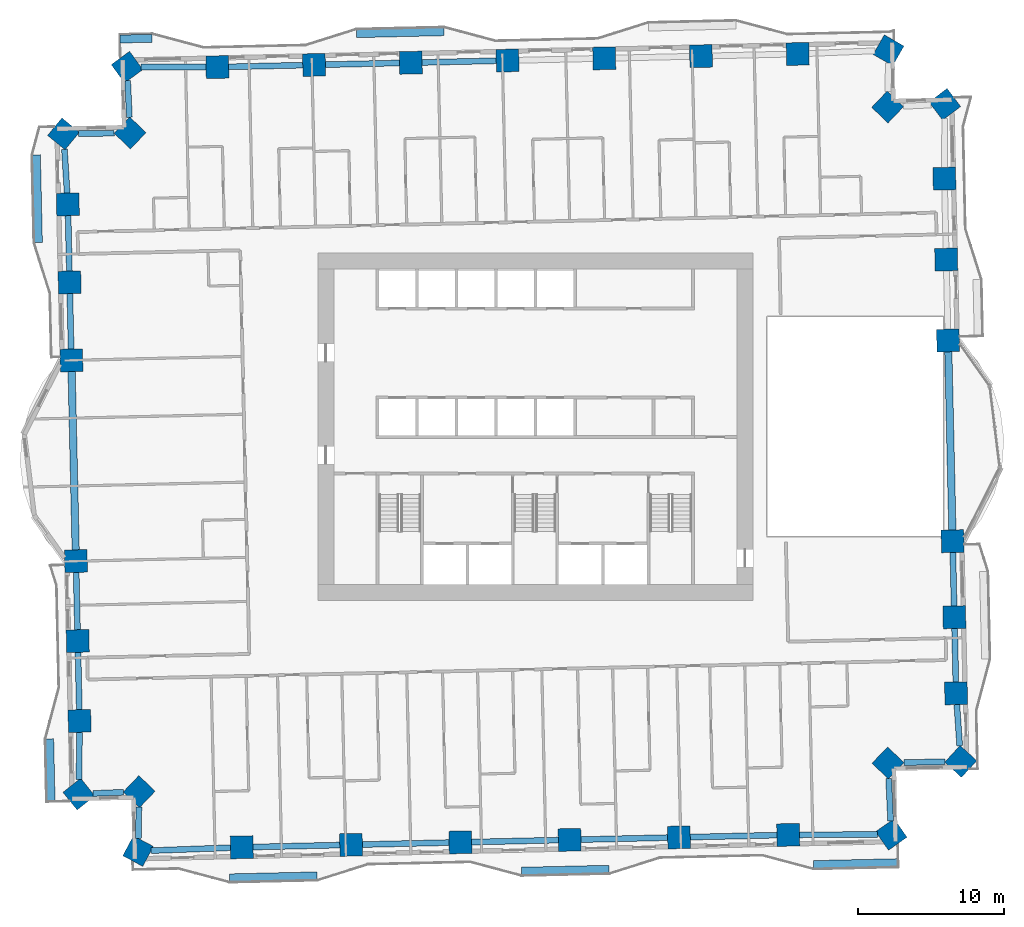
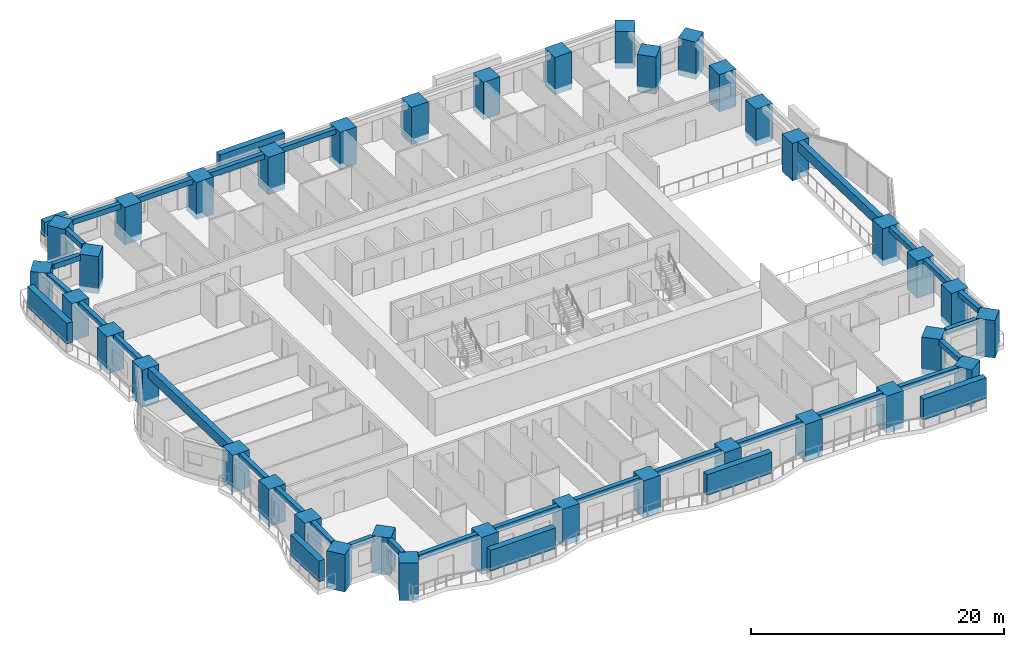
# One storey, part 1 of 16: 37 columns, 28 beams, 7 members.
"""IFC4 building model written with IfcOpenShell, lengths in metres."""

from ifc_helpers import new_model, si_unit, direction, frame, origin, origin_2d, place, context, subcontext, project, spatial, rectangle, extrude, material, material_profile, profile_set, type_object, element, save


model = new_model("IFC4")

# Units and contexts
model_context = context("Model", 3, precision=1e-05, world=origin(), true_north=direction((0.0, 1.0)))
body_context = subcontext(model_context, "Body", "Model", "MODEL_VIEW")
ifc_project = project(units=[si_unit("LENGTHUNIT", "METRE"), si_unit("AREAUNIT", "SQUARE_METRE"), si_unit("VOLUMEUNIT", "CUBIC_METRE"), si_unit("PLANEANGLEUNIT", "RADIAN"), si_unit("MASSUNIT", "GRAM", prefix="KILO")], contexts=[model_context])

# Site, building, storey
site_placement = place(None, origin())
site = spatial("IfcSite", under=ifc_project, at=site_placement, CompositionType="ELEMENT")
building_placement = place(site_placement, origin())
building = spatial("IfcBuilding", under=site, at=building_placement, Name="Mangrove Gate Tower", CompositionType="ELEMENT")
storey_placement = place(building_placement, frame((0.0, 0.0, 34.10009765625)))
storey = spatial("IfcBuildingStorey", under=building, at=storey_placement, Name="L07", CompositionType="ELEMENT", Elevation=34.10009765625)

# Columns
ifc_material_1 = material(Name="Concrete C70/85", Category="concrete")
ifc_material_profile_1 = material_profile(ifc_material_1, rectangle(XDim=1.550048828125, YDim=1.550048828125, at=origin_2d()))
ifc_profile_set_1 = profile_set([ifc_material_profile_1], Name="Concrete C70/85")
column_type = type_object("IfcColumnType", Name="Column RC 1550x1550 C70/85", PredefinedType="COLUMN", material=ifc_profile_set_1)
for number, where, z_axis, x_axis, name in (
    (1, (-31.461181640625, -9.204345703125, -0.550048828125), (0.0, 0.0, 1.0), (0.022677684385, -0.999742828247, 0.0), "Column L07 W06"),
    (2, (-31.337158203125, -14.678466796875, -0.550048828125), (0.0, 0.0, 1.0), (0.022648789156, -0.999743483274, 0.0), "Column L07 W07"),
    (3, (-31.213134765625, -20.1513671875, -0.550048828125), (0.0, 0.0, 1.0), (0.022740081264, -0.999741410918, 0.0), "Column L07 W08"),
    (4, (-31.259033203125, -25.157470703125, -0.550048828125), (0.0, 0.0, 1.0), (0.626513761853, -0.779410358033, 0.0), "Column L07 W09"),
    (5, (-27.129638671875, -24.986572265625, -0.550048828125), (0.0, 0.0, 1.0), (0.723003777622, -0.690844076144, 0.0), "Column L07 W10"),
    (6, (-27.205078125, -29.061767578125, -0.550048828125), (0.0, 0.0, 1.0), (0.88296485665, -0.469439092877, 0.0), "Column L07 S01"),
    (7, (-20.1025390625, -28.80224609375, -0.550048828125), (0.0, 0.0, 1.0), (0.999743591179, 0.022644025629, 0.0), "Column L07 S02"),
    (8, (-12.61962890625, -28.632080078125, -0.550048828125), (0.0, 0.0, 1.0), (0.999742076866, 0.022710784754, 0.0), "Column L07 S03"),
    (9, (-5.135498046875, -28.462158203125, -0.550048828125), (0.0, 0.0, 1.0), (0.999742111349, 0.022709266709, 0.0), "Column L07 S04"),
    (10, (2.348388671875, -28.292236328125, -0.550048828125), (0.0, 0.0, 1.0), (0.999742111349, 0.022709266709, 0.0), "Column L07 S05"),
    (11, (9.83251953125, -28.122314453125, -0.550048828125), (0.0, 0.0, 1.0), (0.999742076866, 0.022710784754, 0.0), "Column L07 S06"),
    (12, (17.3154296875, -27.9521484375, -0.550048828125), (0.0, 0.0, 1.0), (0.999743591179, 0.022644025629, 0.0), "Column L07 S07"),
    (13, (24.3720703125, -27.92333984375, -0.550048828125), (0.0, 0.0, 1.0), (0.818798537757, 0.574080965166, 0.0), "Column L07 S08"),
    (14, (24.143798828125, -23.023681640625, -0.550048828125), (0.0, 0.0, 1.0), (0.690875836988, 0.722973428188, 0.0), "Column L07 E01"),
    (15, (29.1318359375, -22.921142578125, -0.550048828125), (0.0, 0.0, 1.0), (0.675975496551, 0.736924099255, 0.0), "Column L07 E02"),
    (16, (28.80908203125, -18.256591796875, -0.550048828125), (0.0, 0.0, 1.0), (-0.022754110081, 0.99974109172, 0.0), "Column L07 E03"),
    (17, (28.691162109375, -13.049560546875, -0.550048828125), (0.0, 0.0, 1.0), (-0.022655978068, 0.999743320387, 0.0), "Column L07 E04"),
    (18, (28.5732421875, -7.842529296875, -0.550048828125), (0.0, 0.0, 1.0), (-0.022680668131, 0.999742760561, 0.0), "Column L07 E05"),
    (19, (28.26123046875, 5.904296875, -0.550048828125), (0.0, 0.0, 1.0), (-0.022703735442, 0.999742236978, 0.0), "Column L07 E06"),
    (20, (28.13525390625, 11.4443359375, -0.550048828125), (0.0, 0.0, 1.0), (-0.022645578574, 0.999743556004, 0.0), "Column L07 E07"),
    (21, (28.01025390625, 16.9853515625, -0.550048828125), (0.0, 0.0, 1.0), (-0.022645578574, 0.999743556004, 0.0), "Column L07 E08"),
    (22, (28.041015625, 22.0751953125, -0.550048828125), (0.0, 0.0, 1.0), (-0.60357593887, 0.797305516109, 0.0), "Column L07 E09"),
    (23, (24.12451171875, 21.8916015625, -0.550048828125), (0.0, 0.0, 1.0), (-0.723010312757, 0.690837236726, 0.0), "Column L07 E10"),
    (24, (24.18359375, 25.778564453125, -0.550048828125), (0.0, 0.0, 1.0), (-0.867550504106, 0.497349095531, 0.0), "Column L07 N01"),
    (25, (17.963623046875, 25.526123046875, -0.550048828125), (0.0, 0.0, 1.0), (-0.999741913532, -0.022717973655, 0.0), "Column L07 N02"),
    (26, (11.340576171875, 25.375244140625, -0.550048828125), (0.0, 0.0, 1.0), (-0.999741952388, -0.022716263674, 0.0), "Column L07 N03"),
    (27, (4.716552734375, 25.22509765625, -0.550048828125), (0.0, 0.0, 1.0), (-0.999743663498, -0.022640832496, 0.0), "Column L07 N04"),
    (28, (-1.906494140625, 25.0751953125, -0.550048828125), (0.0, 0.0, 1.0), (-0.999741913532, -0.022717973655, 0.0), "Column L07 N05"),
    (29, (-8.529296875, 24.92431640625, -0.550048828125), (0.0, 0.0, 1.0), (-0.999741952388, -0.022716263674, 0.0), "Column L07 N06"),
    (30, (-15.153564453125, 24.774169921875, -0.550048828125), (0.0, 0.0, 1.0), (-0.999743663498, -0.022640832496, 0.0), "Column L07 N07"),
    (31, (-21.7763671875, 24.624267578125, -0.550048828125), (0.0, 0.0, 1.0), (-0.999743624771, -0.02264254248, 0.0), "Column L07 N08"),
    (32, (-27.960693359375, 24.62255859375, -0.550048828125), (0.0, 0.0, 1.0), (-0.808269368168, -0.588812897686, 0.0), "Column L07 N09"),
    (33, (-27.752685546875, 20.114501953125, -0.550048828125), (0.0, 0.0, 1.0), (-0.690863130287, -0.722985570541, 0.0), "Column L07 W01"),
    (34, (-32.3134765625, 20.052734375, -0.550048828125), (0.0, 0.0, 1.0), (-0.63510539695, -0.772425488164, 0.0), "Column L07 W02"),
    (35, (-32.01513671875, 15.22265625, -0.550048828125), (0.0, 0.0, 1.0), (0.022746921185, -0.999741255314, 0.0), "Column L07 W03"),
    (36, (-31.894287109375, 9.882568359375, -0.550048828125), (0.0, 0.0, 1.0), (0.022653360746, -0.999743379696, 0.0), "Column L07 W04"),
    (37, (-31.773193359375, 4.54248046875, -0.550048828125), (0.0, 0.0, 1.0), (0.022679760793, -0.999742781144, 0.0), "Column L07 W05"),
):
    element("IfcColumn", number, at=place(storey_placement, frame(where, z_axis=z_axis, x_axis=x_axis)), inside=storey, type_object=column_type, Name=name, PredefinedType="COLUMN", context=body_context, shape_type="SweptSolid", body=[
        extrude(rectangle(XDim=1.550048828125, YDim=1.550048828125, at=origin_2d()), origin(), (0.0, 0.0, 1.0), 3.599853515625),
    ])

# Members
ifc_material_2 = material(Name="Planting on aluminium trellis", Category="aluminium")
ifc_material_profile_2 = material_profile(ifc_material_2, rectangle(XDim=0.550048828125, YDim=1.39990234375, at=origin_2d()))
ifc_profile_set_2 = profile_set([ifc_material_profile_2], Name="Planting on aluminium trellis")
member_type_1 = type_object("IfcMemberType", Name="Balcony greenery screen 550x1400", PredefinedType="USERDEFINED", material=ifc_profile_set_2)
member_1_placement = place(storey_placement, frame((-28.446044921875, 26.548095703125, 1.5), z_axis=(0.999743608889, 0.022643243723, 0.0), x_axis=(-0.022643243723, 0.999743608889, 0.0)))
element("IfcMember", 38, at=member_1_placement, inside=storey, type_object=member_type_1, Name="GREEN SCREEN L07 N1.1", ObjectType="PLANTING", PredefinedType="USERDEFINED", context=body_context, shape_type="SweptSolid", body=[
    extrude(rectangle(XDim=0.550048828125, YDim=1.39990234375, at=origin_2d()), origin(), (0.0, 0.0, 1.0), 2.199462890625),
])
ifc_material_3 = material(Name="Planting on aluminium trellis", Category="aluminium")
ifc_material_profile_3 = material_profile(ifc_material_3, rectangle(XDim=0.550048828125, YDim=2.0, at=origin_2d()))
ifc_profile_set_3 = profile_set([ifc_material_profile_3], Name="Planting on aluminium trellis")
member_type_2 = type_object("IfcMemberType", Name="Balcony greenery screen 550x2000", PredefinedType="USERDEFINED", material=ifc_profile_set_3)
member_2_placement = place(storey_placement, frame((-12.25, 26.9150390625, 1.7998046875), z_axis=(0.999743094499, 0.022665943652, 0.0), x_axis=(-0.022665943652, 0.999743094499, 0.0)))
element("IfcMember", 39, at=member_2_placement, inside=storey, type_object=member_type_2, Name="GREEN SCREEN L07 N1.2", ObjectType="PLANTING", PredefinedType="USERDEFINED", context=body_context, shape_type="SweptSolid", body=[
    extrude(rectangle(XDim=0.550048828125, YDim=2.0, at=origin_2d()), origin(), (0.0, 0.0, 1.0), 5.99951171875),
])
member_3_placement = place(storey_placement, frame((-34.031982421875, 12.617919921875, 1.7998046875), z_axis=(-0.022662255828, 0.999743178102, 0.0), x_axis=(-0.999743178102, -0.022662255828, 0.0)))
element("IfcMember", 40, at=member_3_placement, inside=storey, type_object=member_type_2, Name="GREEN SCREEN L07 W0.1", ObjectType="PLANTING", PredefinedType="USERDEFINED", context=body_context, shape_type="SweptSolid", body=[
    extrude(rectangle(XDim=0.550048828125, YDim=2.0, at=origin_2d()), origin(), (0.0, 0.0, 1.0), 6.00048828125),
])
member_4_placement = place(storey_placement, frame((-33.1630859375, -25.672119140625, 1.7998046875), z_axis=(-0.022539561751, 0.999745951808, 0.0), x_axis=(-0.999745951808, -0.022539561751, 0.0)))
element("IfcMember", 41, at=member_4_placement, inside=storey, type_object=member_type_2, Name="GREEN SCREEN L07 W1.1", ObjectType="PLANTING", PredefinedType="USERDEFINED", context=body_context, shape_type="SweptSolid", body=[
    extrude(rectangle(XDim=0.550048828125, YDim=2.0, at=origin_2d()), origin(), (0.0, 0.0, 1.0), 4.300048828125),
])
member_5_placement = place(storey_placement, frame((-20.94189453125, -30.89599609375, 1.7998046875), z_axis=(0.999743157205, 0.022663177671, 0.0), x_axis=(-0.022663177671, 0.999743157205, 0.0)))
element("IfcMember", 42, at=member_5_placement, inside=storey, type_object=member_type_2, Name="GREEN SCREEN L07 S0.1", ObjectType="PLANTING", PredefinedType="USERDEFINED", context=body_context, shape_type="SweptSolid", body=[
    extrude(rectangle(XDim=0.550048828125, YDim=2.0, at=origin_2d()), origin(), (0.0, 0.0, 1.0), 6.000244140625),
])
member_6_placement = place(storey_placement, frame((-0.947021484375, -30.44189453125, 1.7998046875), z_axis=(0.999743094499, 0.022665943652, 0.0), x_axis=(-0.022665943652, 0.999743094499, 0.0)))
element("IfcMember", 43, at=member_6_placement, inside=storey, type_object=member_type_2, Name="GREEN SCREEN L07 S1.1", ObjectType="PLANTING", PredefinedType="USERDEFINED", context=body_context, shape_type="SweptSolid", body=[
    extrude(rectangle(XDim=0.550048828125, YDim=2.0, at=origin_2d()), origin(), (0.0, 0.0, 1.0), 5.99951171875),
])
member_7_placement = place(storey_placement, frame((19.048095703125, -29.988037109375, 1.7998046875), z_axis=(0.999744436995, 0.02260665162, 0.0), x_axis=(-0.02260665162, 0.999744436995, 0.0)))
element("IfcMember", 44, at=member_7_placement, inside=storey, type_object=member_type_2, Name="GREEN SCREEN L07 S1.2", ObjectType="PLANTING", PredefinedType="USERDEFINED", context=body_context, shape_type="SweptSolid", body=[
    extrude(rectangle(XDim=0.550048828125, YDim=2.0, at=origin_2d()), origin(), (0.0, 0.0, 1.0), 5.79931640625),
])

# Beams
ifc_material_4 = material(Name="Concrete C50/60", Category="concrete")
ifc_material_profile_4 = material_profile(ifc_material_4, rectangle(XDim=0.39990234375, YDim=0.5, at=origin_2d()))
ifc_profile_set_4 = profile_set([ifc_material_profile_4], Name="Concrete C50/60")
beam_type_1 = type_object("IfcBeamType", Name="Edge beam RC 400x500 C50/60", PredefinedType="BEAM", material=ifc_profile_set_4)
beam_1_placement = place(storey_placement, frame((-31.443603515625, -9.979248046875, 2.7998046875), z_axis=(0.022639461541, -0.999743694544, 0.0), x_axis=(0.999743694544, 0.022639461541, 0.0)))
element("IfcBeam", 45, at=beam_1_placement, inside=storey, type_object=beam_type_1, Name="Edge beam L07 00", PredefinedType="BEAM", context=body_context, shape_type="SweptSolid", body=[
    extrude(rectangle(XDim=0.39990234375, YDim=0.5, at=origin_2d()), origin(), (0.0, 0.0, 1.0), 3.92529296875),
])
beam_2_placement = place(storey_placement, frame((-31.319580078125, -15.453369140625, 2.7998046875), z_axis=(0.022646502382, -0.999743535078, 0.0), x_axis=(0.999743535078, 0.022646502382, 0.0)))
element("IfcBeam", 46, at=beam_2_placement, inside=storey, type_object=beam_type_1, Name="Edge beam L07 01", PredefinedType="BEAM", context=body_context, shape_type="SweptSolid", body=[
    extrude(rectangle(XDim=0.39990234375, YDim=0.5, at=origin_2d()), origin(), (0.0, 0.0, 1.0), 3.924072265625),
])
beam_3_placement = place(storey_placement, frame((-31.22021484375, -20.9267578125, 2.7998046875), z_axis=(-0.009148263769, -0.999958153759, 0.0), x_axis=(0.999958153759, -0.009148263769, 0.0)))
element("IfcBeam", 47, at=beam_3_placement, inside=storey, type_object=beam_type_1, Name="Edge beam L07 02", PredefinedType="BEAM", context=body_context, shape_type="SweptSolid", body=[
    extrude(rectangle(XDim=0.39990234375, YDim=0.5, at=origin_2d()), origin(), (0.0, 0.0, 1.0), 3.229248046875),
])
beam_4_placement = place(storey_placement, frame((-30.296630859375, -25.11767578125, 2.7998046875), z_axis=(0.999147563526, 0.041281306896, 0.0), x_axis=(-0.041281306896, 0.999147563526, 0.0)))
element("IfcBeam", 48, at=beam_4_placement, inside=storey, type_object=beam_type_1, Name="Edge beam L07 03", PredefinedType="BEAM", context=body_context, shape_type="SweptSolid", body=[
    extrude(rectangle(XDim=0.39990234375, YDim=0.5, at=origin_2d()), origin(), (0.0, 0.0, 1.0), 2.093505859375),
])
beam_5_placement = place(storey_placement, frame((-27.149169921875, -26.0400390625, 2.7998046875), z_axis=(-0.018483855383, -0.999829158952, 0.0), x_axis=(0.999829158952, -0.018483855383, 0.0)))
element("IfcBeam", 49, at=beam_5_placement, inside=storey, type_object=beam_type_1, Name="Edge beam L07 04", PredefinedType="BEAM", context=body_context, shape_type="SweptSolid", body=[
    extrude(rectangle(XDim=0.39990234375, YDim=0.5, at=origin_2d()), origin(), (0.0, 0.0, 1.0), 2.153076171875),
])
beam_6_placement = place(storey_placement, frame((-26.31005859375, -29.029052734375, 2.7998046875), z_axis=(0.999333286168, 0.036510041866, 0.0), x_axis=(-0.036510041866, 0.999333286168, 0.0)))
element("IfcBeam", 50, at=beam_6_placement, inside=storey, type_object=beam_type_1, Name="Edge beam L07 05", PredefinedType="BEAM", context=body_context, shape_type="SweptSolid", body=[
    extrude(rectangle(XDim=0.39990234375, YDim=0.5, at=origin_2d()), origin(), (0.0, 0.0, 1.0), 5.4365234375),
])
beam_7_placement = place(storey_placement, frame((-19.32763671875, -28.78466796875, 2.7998046875), z_axis=(0.999742154006, 0.022707388759, 0.0), x_axis=(-0.022707388759, 0.999742154006, 0.0)))
element("IfcBeam", 51, at=beam_7_placement, inside=storey, type_object=beam_type_1, Name="Edge beam L07 06", PredefinedType="BEAM", context=body_context, shape_type="SweptSolid", body=[
    extrude(rectangle(XDim=0.39990234375, YDim=0.5, at=origin_2d()), origin(), (0.0, 0.0, 1.0), 5.934814453125),
])
for number, where, z_axis, x_axis, name in (
    (52, (-11.8447265625, -28.614501953125, 2.7998046875), (0.999742238829, 0.02270365392, 0.0), (-0.02270365392, 0.999742238829, 0.0), "Edge beam L07 07"),
    (53, (-4.36083984375, -28.444580078125, 2.7998046875), (0.999742238829, 0.02270365392, 0.0), (-0.02270365392, 0.999742238829, 0.0), "Edge beam L07 08"),
    (54, (3.123291015625, -28.274658203125, 2.7998046875), (0.999742238829, 0.02270365392, 0.0), (-0.02270365392, 0.999742238829, 0.0), "Edge beam L07 09"),
):
    element("IfcBeam", number, at=place(storey_placement, frame(where, z_axis=z_axis, x_axis=x_axis)), inside=storey, type_object=beam_type_1, Name=name, PredefinedType="BEAM", context=body_context, shape_type="SweptSolid", body=[
        extrude(rectangle(XDim=0.39990234375, YDim=0.5, at=origin_2d()), origin(), (0.0, 0.0, 1.0), 5.935791015625),
    ])
beam_8_placement = place(storey_placement, frame((10.607177734375, -28.1044921875, 2.7998046875), z_axis=(0.999742175215, 0.022706454934, 0.0), x_axis=(-0.022706454934, 0.999742175215, 0.0)))
element("IfcBeam", 55, at=beam_8_placement, inside=storey, type_object=beam_type_1, Name="Edge beam L07 10", PredefinedType="BEAM", context=body_context, shape_type="SweptSolid", body=[
    extrude(rectangle(XDim=0.39990234375, YDim=0.5, at=origin_2d()), origin(), (0.0, 0.0, 1.0), 5.93505859375),
])
beam_9_placement = place(storey_placement, frame((18.090576171875, -27.948974609375, 2.7998046875), z_axis=(0.999991714378, 0.004070770826, 0.0), x_axis=(-0.004070770826, 0.999991714378, 0.0)))
element("IfcBeam", 56, at=beam_9_placement, inside=storey, type_object=beam_type_1, Name="Edge beam L07 11", PredefinedType="BEAM", context=body_context, shape_type="SweptSolid", body=[
    extrude(rectangle(XDim=0.39990234375, YDim=0.5, at=origin_2d()), origin(), (0.0, 0.0, 1.0), 5.337646484375),
])
beam_10_placement = place(storey_placement, frame((24.329345703125, -27.0068359375, 2.7998046875), z_axis=(-0.046539094766, 0.99891646931, 0.0), x_axis=(-0.99891646931, -0.046539094766, 0.0)))
element("IfcBeam", 57, at=beam_10_placement, inside=storey, type_object=beam_type_1, Name="Edge beam L07 12", PredefinedType="BEAM", context=body_context, shape_type="SweptSolid", body=[
    extrude(rectangle(XDim=0.39990234375, YDim=0.5, at=origin_2d()), origin(), (0.0, 0.0, 1.0), 2.916748046875),
])
beam_11_placement = place(storey_placement, frame((25.237060546875, -23.001220703125, 2.7998046875), z_axis=(0.999788239526, 0.020578535069, 0.0), x_axis=(-0.020578535069, 0.999788239526, 0.0)))
element("IfcBeam", 58, at=beam_11_placement, inside=storey, type_object=beam_type_1, Name="Edge beam L07 13", PredefinedType="BEAM", context=body_context, shape_type="SweptSolid", body=[
    extrude(rectangle(XDim=0.39990234375, YDim=0.5, at=origin_2d()), origin(), (0.0, 0.0, 1.0), 2.823486328125),
])
beam_12_placement = place(storey_placement, frame((29.05810546875, -21.85498046875, 2.7998046875), z_axis=(-0.068985575755, 0.997617657391, 0.0), x_axis=(-0.997617657391, -0.068985575755, 0.0)))
element("IfcBeam", 59, at=beam_12_placement, inside=storey, type_object=beam_type_1, Name="Edge beam L07 14", PredefinedType="BEAM", context=body_context, shape_type="SweptSolid", body=[
    extrude(rectangle(XDim=0.39990234375, YDim=0.5, at=origin_2d()), origin(), (0.0, 0.0, 1.0), 2.831298828125),
])
beam_13_placement = place(storey_placement, frame((28.791748046875, -17.48193359375, 2.7998046875), z_axis=(-0.022689571451, 0.999742558536, 0.0), x_axis=(-0.999742558536, -0.022689571451, 0.0)))
element("IfcBeam", 60, at=beam_13_placement, inside=storey, type_object=beam_type_1, Name="Edge beam L07 15", PredefinedType="BEAM", context=body_context, shape_type="SweptSolid", body=[
    extrude(rectangle(XDim=0.39990234375, YDim=0.5, at=origin_2d()), origin(), (0.0, 0.0, 1.0), 3.658447265625),
])
beam_14_placement = place(storey_placement, frame((28.673583984375, -12.274658203125, 2.7998046875), z_axis=(-0.022624381053, 0.999744035932, 0.0), x_axis=(-0.999744035932, -0.022624381053, 0.0)))
element("IfcBeam", 61, at=beam_14_placement, inside=storey, type_object=beam_type_1, Name="Edge beam L07 16", PredefinedType="BEAM", context=body_context, shape_type="SweptSolid", body=[
    extrude(rectangle(XDim=0.39990234375, YDim=0.5, at=origin_2d()), origin(), (0.0, 0.0, 1.0), 3.658203125),
])
beam_15_placement = place(storey_placement, frame((-2.68115234375, 25.0576171875, 2.7998046875), z_axis=(-0.999739969445, -0.02280336584, 0.0), x_axis=(0.02280336584, -0.999739969445, 0.0)))
element("IfcBeam", 62, at=beam_15_placement, inside=storey, type_object=beam_type_1, Name="Edge beam L07 27", PredefinedType="BEAM", context=body_context, shape_type="SweptSolid", body=[
    extrude(rectangle(XDim=0.39990234375, YDim=0.5, at=origin_2d()), origin(), (0.0, 0.0, 1.0), 5.07470703125),
])
beam_16_placement = place(storey_placement, frame((-9.30419921875, 24.90673828125, 2.7998046875), z_axis=(-0.999743348065, -0.022654756648, 0.0), x_axis=(0.022654756648, -0.999743348065, 0.0)))
element("IfcBeam", 63, at=beam_16_placement, inside=storey, type_object=beam_type_1, Name="Edge beam L07 28", PredefinedType="BEAM", context=body_context, shape_type="SweptSolid", body=[
    extrude(rectangle(XDim=0.39990234375, YDim=0.5, at=origin_2d()), origin(), (0.0, 0.0, 1.0), 5.07568359375),
])
beam_17_placement = place(storey_placement, frame((-15.92822265625, 24.756591796875, 2.7998046875), z_axis=(-0.999744337953, -0.022611031175, 0.0), x_axis=(0.022611031175, -0.999744337953, 0.0)))
element("IfcBeam", 64, at=beam_17_placement, inside=storey, type_object=beam_type_1, Name="Edge beam L07 29", PredefinedType="BEAM", context=body_context, shape_type="SweptSolid", body=[
    extrude(rectangle(XDim=0.39990234375, YDim=0.5, at=origin_2d()), origin(), (0.0, 0.0, 1.0), 5.07470703125),
])
beam_18_placement = place(storey_placement, frame((-22.5517578125, 24.6240234375, 2.7998046875), z_axis=(-0.999999962379, -0.000274303259, 0.0), x_axis=(0.000274303259, -0.999999962379, 0.0)))
element("IfcBeam", 65, at=beam_18_placement, inside=storey, type_object=beam_type_1, Name="Edge beam L07 30", PredefinedType="BEAM", context=body_context, shape_type="SweptSolid", body=[
    extrude(rectangle(XDim=0.39990234375, YDim=0.5, at=origin_2d()), origin(), (0.0, 0.0, 1.0), 4.4501953125),
])
beam_19_placement = place(storey_placement, frame((-27.91796875, 23.69482421875, 2.7998046875), z_axis=(0.046152499046, -0.99893440567, 0.0), x_axis=(0.99893440567, 0.046152499046, 0.0)))
element("IfcBeam", 66, at=beam_19_placement, inside=storey, type_object=beam_type_1, Name="Edge beam L07 31", PredefinedType="BEAM", context=body_context, shape_type="SweptSolid", body=[
    extrude(rectangle(XDim=0.39990234375, YDim=0.5, at=origin_2d()), origin(), (0.0, 0.0, 1.0), 2.5126953125),
])
beam_20_placement = place(storey_placement, frame((-28.838623046875, 20.099853515625, 2.7998046875), z_axis=(-0.999908940349, -0.013494851234, 0.0), x_axis=(0.013494851234, -0.999908940349, 0.0)))
element("IfcBeam", 67, at=beam_20_placement, inside=storey, type_object=beam_type_1, Name="Edge beam L07 32", PredefinedType="BEAM", context=body_context, shape_type="SweptSolid", body=[
    extrude(rectangle(XDim=0.39990234375, YDim=0.5, at=origin_2d()), origin(), (0.0, 0.0, 1.0), 2.46044921875),
])
beam_21_placement = place(storey_placement, frame((-32.248046875, 18.995849609375, 2.7998046875), z_axis=(0.061589140579, -0.998101586895, 0.0), x_axis=(0.998101586895, 0.061589140579, 0.0)))
element("IfcBeam", 68, at=beam_21_placement, inside=storey, type_object=beam_type_1, Name="Edge beam L07 33", PredefinedType="BEAM", context=body_context, shape_type="SweptSolid", body=[
    extrude(rectangle(XDim=0.39990234375, YDim=0.5, at=origin_2d()), origin(), (0.0, 0.0, 1.0), 3.004638671875),
])
for number, where, z_axis, x_axis, name in (
    (69, (-31.99755859375, 14.44775390625, 2.7998046875), (0.022602919614, -0.999744521378, 0.0), (0.999744521378, 0.022602919614, 0.0), "Edge beam L07 34"),
    (70, (-31.876708984375, 9.107666015625, 2.7998046875), (0.022667282356, -0.999743064147, 0.0), (0.999743064147, 0.022667282356, 0.0), "Edge beam L07 35"),
):
    element("IfcBeam", number, at=place(storey_placement, frame(where, z_axis=z_axis, x_axis=x_axis)), inside=storey, type_object=beam_type_1, Name=name, PredefinedType="BEAM", context=body_context, shape_type="SweptSolid", body=[
        extrude(rectangle(XDim=0.39990234375, YDim=0.5, at=origin_2d()), origin(), (0.0, 0.0, 1.0), 3.791259765625),
    ])
ifc_material_5 = material(Name="Concrete C50/60", Category="concrete")
ifc_material_profile_5 = material_profile(ifc_material_5, rectangle(XDim=0.5, YDim=0.949951171875, at=origin_2d()))
ifc_profile_set_5 = profile_set([ifc_material_profile_5], Name="Concrete C50/60")
beam_type_2 = type_object("IfcBeamType", Name="Edge beam RC 500x950 C50/60", PredefinedType="BEAM", material=ifc_profile_set_5)
for number, where, z_axis, x_axis, name in (
    (71, (28.5556640625, -7.06787109375, 2.574951171875), (-0.0226918597, 0.9997425066, 0.0), (-0.9997425066, -0.0226918597, 0.0), "Edge beam L07 17"),
    (72, (-31.755615234375, 3.767822265625, 2.574951171875), (0.0226918597, -0.9997425066, 0.0), (0.9997425066, 0.0226918597, 0.0), "Edge beam L07 36"),
):
    element("IfcBeam", number, at=place(storey_placement, frame(where, z_axis=z_axis, x_axis=x_axis)), inside=storey, type_object=beam_type_2, Name=name, PredefinedType="BEAM", context=body_context, shape_type="SweptSolid", body=[
        extrude(rectangle(XDim=0.5, YDim=0.949951171875, at=origin_2d()), origin(), (0.0, 0.0, 1.0), 12.20068359375),
    ])

save(model, "model.ifc")
